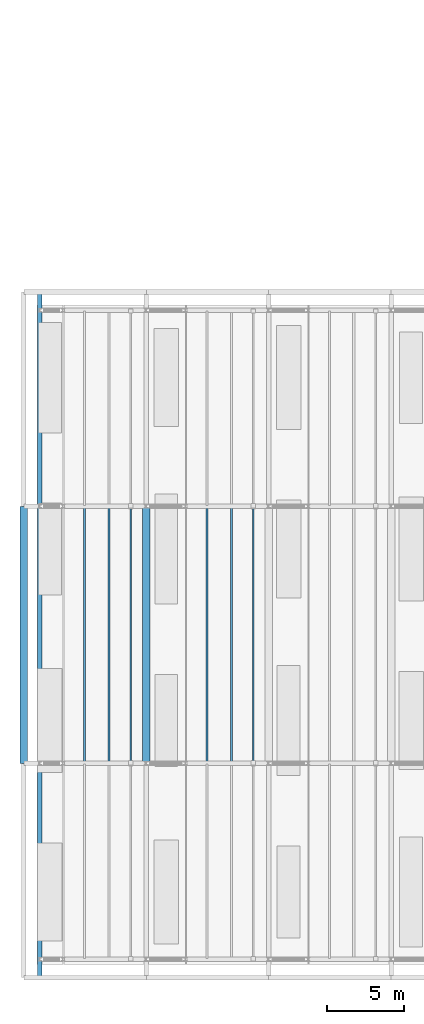
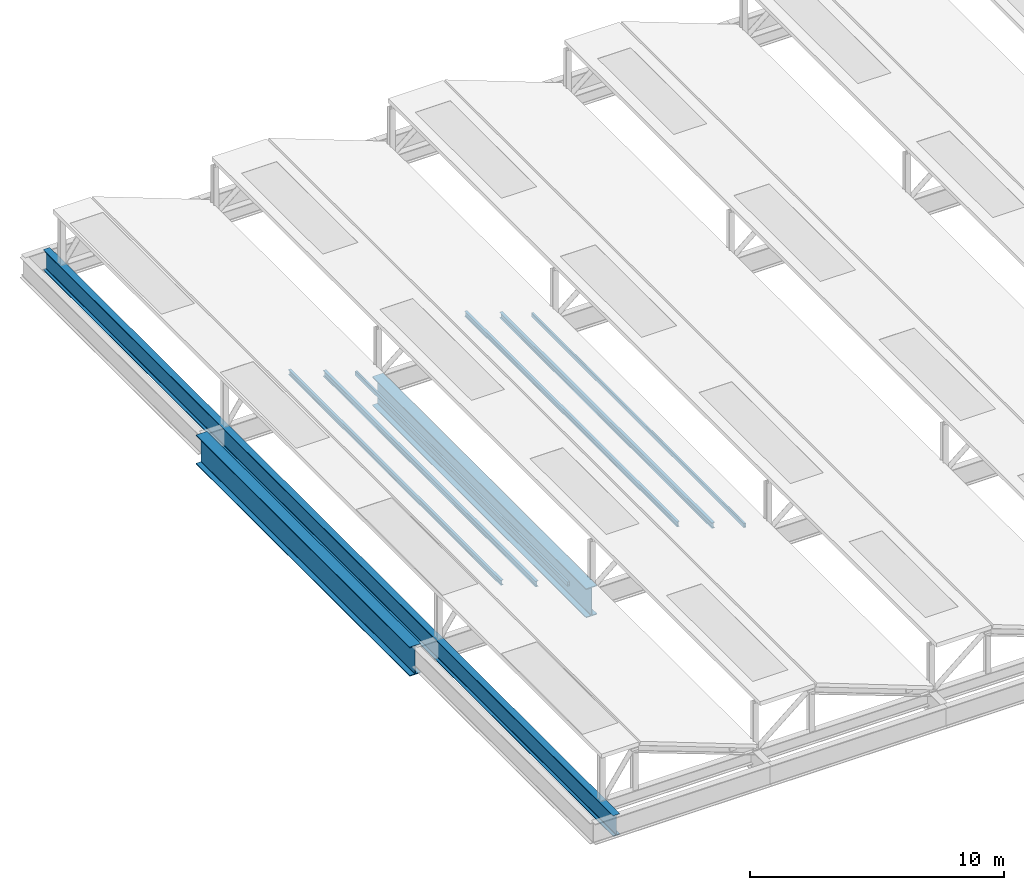
# One storey, part 2 of 14: 6 members, 3 beams.
"""IFC4 building model written with IfcOpenShell, lengths in metres."""

from ifc_helpers import new_model, si_unit, direction, frame, origin, origin_2d, place, context, subcontext, project, spatial, hollow_rectangle, i_section, extrude, material, material_profile, profile_set, type_object, element, save


model = new_model("IFC4")

# Units and contexts
model_context = context("Model", 3, precision=1e-05, world=origin(), true_north=direction((0.0, 1.0)))
body_context = subcontext(model_context, "Body", "Model", "MODEL_VIEW")
ifc_project = project(units=[si_unit("LENGTHUNIT", "METRE"), si_unit("AREAUNIT", "SQUARE_METRE"), si_unit("VOLUMEUNIT", "CUBIC_METRE"), si_unit("PLANEANGLEUNIT", "RADIAN"), si_unit("MASSUNIT", "GRAM", prefix="KILO")], contexts=[model_context])

# Site, building, storey
site_placement = place(None, origin())
site = spatial("IfcSite", under=ifc_project, at=site_placement, CompositionType="ELEMENT")
building_placement = place(site_placement, origin())
building = spatial("IfcBuilding", under=site, at=building_placement, Name="Vekula Escarpment Museum", CompositionType="ELEMENT")
storey_placement = place(building_placement, frame((0.0, 0.0, 30.60009765625)))
storey = spatial("IfcBuildingStorey", under=building, at=storey_placement, Name="RF", CompositionType="ELEMENT", Elevation=30.60009765625)

# Beams
ifc_material_1 = material(Name="Steel S355", Category="steel")
ifc_material_profile_1 = material_profile(ifc_material_1, i_section(OverallWidth=0.300048828125, OverallDepth=1.0, WebThickness=0.01904296875, FlangeThickness=0.035888671875, FilletRadius=0.030029296875, at=origin_2d()), Name="HEB 1000")
ifc_profile_set_1 = profile_set([ifc_material_profile_1], Name="Steel S355")
beam_type_1 = type_object("IfcBeamType", Name="BM-TRUSS-CHORD-BOT", PredefinedType="BEAM", material=ifc_profile_set_1)
beam_placement = place(storey_placement, frame((71.050048828125, 45.60009765625, -2.75), z_axis=(0.0, 1.0, 0.0), x_axis=(-1.0, 0.0, 0.0)))
element("IfcBeam", 1, at=beam_placement, inside=storey, type_object=beam_type_1, Name="Sawtooth West Crown Girder RF 2472", PredefinedType="BEAM", context=body_context, shape_type="SweptSolid", body=[
    extrude(i_section(OverallWidth=0.300048828125, OverallDepth=1.0, WebThickness=0.01904296875, FlangeThickness=0.035888671875, FilletRadius=0.030029296875, at=origin_2d()), origin(), (0.0, 0.0, 1.0), 44.7998046875),
])
ifc_material_2 = material(Name="Steel S355", Category="steel")
ifc_material_profile_2 = material_profile(ifc_material_2, i_section(OverallWidth=0.5, OverallDepth=1.39990234375, WebThickness=0.02392578125, FlangeThickness=0.0400390625, FilletRadius=0.02392578125, at=origin_2d()), Name="WPG 1400x500")
ifc_profile_set_2 = profile_set([ifc_material_profile_2], Name="Steel S355")
beam_type_2 = type_object("IfcBeamType", Name="BM-TRUSS-CHORD-TOP", PredefinedType="BEAM", material=ifc_profile_set_2)
for number, where, z_axis, x_axis, name in (
    (2, (70.0, 59.60009765625, -2.9501953125), (0.0, 1.0, 0.0), (-1.0, 0.0, 0.0), "Sawtooth Tie Girder RF 2475"),
    (3, (78.0, 59.60009765625, -2.9501953125), (0.0, 1.0, 0.0), (-1.0, 0.0, 0.0), "Sawtooth Tie Girder RF 2478"),
):
    element("IfcBeam", number, at=place(storey_placement, frame(where, z_axis=z_axis, x_axis=x_axis)), inside=storey, type_object=beam_type_2, Name=name, PredefinedType="BEAM", context=body_context, shape_type="SweptSolid", body=[
        extrude(i_section(OverallWidth=0.5, OverallDepth=1.39990234375, WebThickness=0.02392578125, FlangeThickness=0.0400390625, FilletRadius=0.02392578125, at=origin_2d()), origin(), (0.0, 0.0, 1.0), 16.7998046875),
    ])

# Members
ifc_material_3 = material(Name="Steel S355", Category="steel")
ifc_material_profile_3 = material_profile(ifc_material_3, i_section(OverallWidth=0.1201171875, OverallDepth=0.239990234375, WebThickness=0.006103515625, FlangeThickness=0.009765625, FilletRadius=0.014892578125, at=origin_2d()), Name="IPE 240")
ifc_profile_set_3 = profile_set([ifc_material_profile_3], Name="Steel S355")
member_type_1 = type_object("IfcMemberType", Name="MB-PURL-IPE240", PredefinedType="PURLIN", material=ifc_profile_set_3)
for number, where, z_axis, x_axis, name in (
    (4, (73.965087890625, 59.64990234375, -0.66015625), (0.0, 1.0, 0.0), (-1.0, 0.0, 0.0), "Sawtooth Roof Purlin 006"),
    (5, (81.965087890625, 59.64990234375, -0.66015625), (0.0, 1.0, 0.0), (-1.0, 0.0, 0.0), "Sawtooth Roof Purlin 019"),
):
    element("IfcMember", number, at=place(storey_placement, frame(where, z_axis=z_axis, x_axis=x_axis)), inside=storey, type_object=member_type_1, Name=name, PredefinedType="PURLIN", context=body_context, shape_type="SweptSolid", body=[
        extrude(i_section(OverallWidth=0.1201171875, OverallDepth=0.239990234375, WebThickness=0.006103515625, FlangeThickness=0.009765625, FilletRadius=0.014892578125, at=origin_2d()), origin(), (0.0, 0.0, 1.0), 16.7001953125),
    ])
ifc_material_4 = material(Name="Steel S355", Category="steel")
ifc_material_profile_4 = material_profile(ifc_material_4, i_section(OverallWidth=0.135009765625, OverallDepth=0.27001953125, WebThickness=0.006591796875, FlangeThickness=0.01025390625, FilletRadius=0.014892578125, at=origin_2d()), Name="IPE 270")
ifc_profile_set_4 = profile_set([ifc_material_profile_4], Name="Steel S355")
member_type_2 = type_object("IfcMemberType", Name="MB-PURL-IPE270", PredefinedType="PURLIN", material=ifc_profile_set_4)
for number, where, z_axis, x_axis, name in (
    (6, (75.554931640625, 59.64990234375, -1.275146484375), (0.0, 1.0, 0.0), (-1.0, 0.0, 0.0), "Sawtooth Roof Purlin 009"),
    (7, (83.554931640625, 59.64990234375, -1.275146484375), (0.0, 1.0, 0.0), (-1.0, 0.0, 0.0), "Sawtooth Roof Purlin 022"),
):
    element("IfcMember", number, at=place(storey_placement, frame(where, z_axis=z_axis, x_axis=x_axis)), inside=storey, type_object=member_type_2, Name=name, PredefinedType="PURLIN", context=body_context, shape_type="SweptSolid", body=[
        extrude(i_section(OverallWidth=0.135009765625, OverallDepth=0.27001953125, WebThickness=0.006591796875, FlangeThickness=0.01025390625, FilletRadius=0.014892578125, at=origin_2d()), origin(), (0.0, 0.0, 1.0), 16.7001953125),
    ])
ifc_material_5 = material(Name="Steel S355", Category="steel")
ifc_material_profile_5 = material_profile(ifc_material_5, hollow_rectangle(XDim=0.10009765625, YDim=0.199951171875, WallThickness=0.008056640625, InnerFilletRadius=0.008056640625, OuterFilletRadius=0.01611328125, at=origin_2d()), Name="RHS 200x100x8")
ifc_profile_set_5 = profile_set([ifc_material_profile_5], Name="Steel S355")
member_type_3 = type_object("IfcMemberType", Name="MB-PURL-RHS200", PredefinedType="PURLIN", material=ifc_profile_set_5)
for number, where, z_axis, x_axis, name in (
    (8, (76.986083984375, 59.64990234375, -1.780029296875), (0.0, 1.0, 0.0), (-1.0, 0.0, 0.0), "Sawtooth Roof Purlin 012"),
    (9, (84.986083984375, 59.64990234375, -1.780029296875), (0.0, 1.0, 0.0), (-1.0, 0.0, 0.0), "Sawtooth Roof Purlin 025"),
):
    element("IfcMember", number, at=place(storey_placement, frame(where, z_axis=z_axis, x_axis=x_axis)), inside=storey, type_object=member_type_3, Name=name, PredefinedType="PURLIN", context=body_context, shape_type="SweptSolid", body=[
        extrude(hollow_rectangle(XDim=0.10009765625, YDim=0.199951171875, WallThickness=0.008056640625, InnerFilletRadius=0.008056640625, OuterFilletRadius=0.01611328125, at=origin_2d()), origin(), (0.0, 0.0, 1.0), 16.7001953125),
    ])

save(model, "model.ifc")
